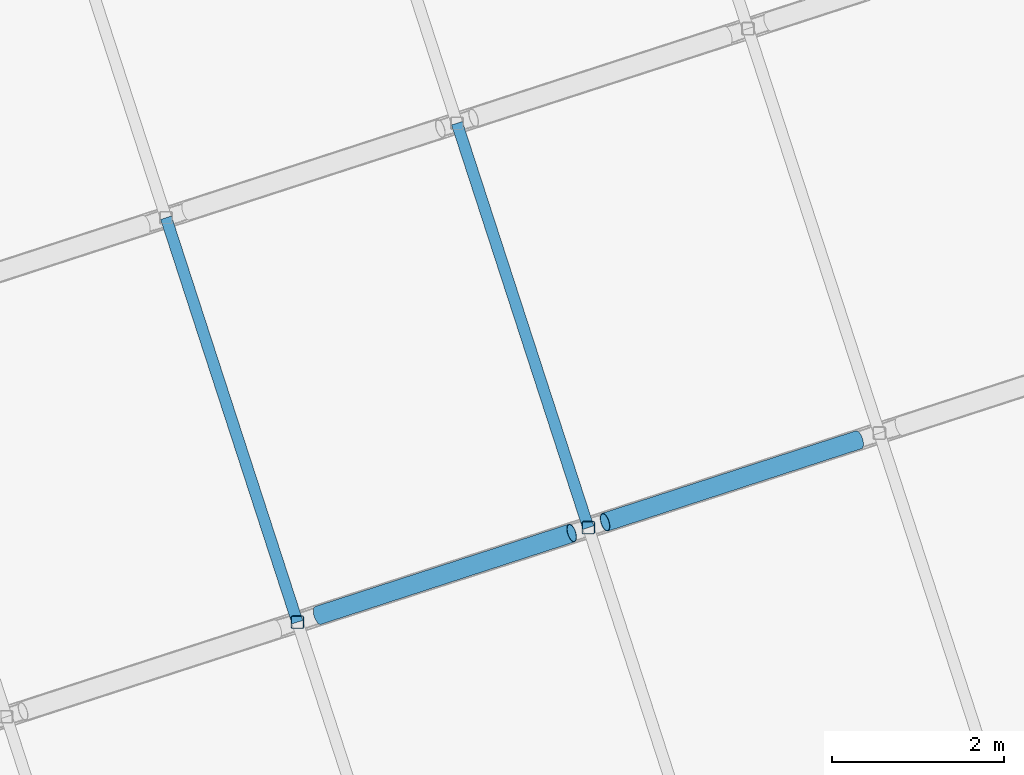
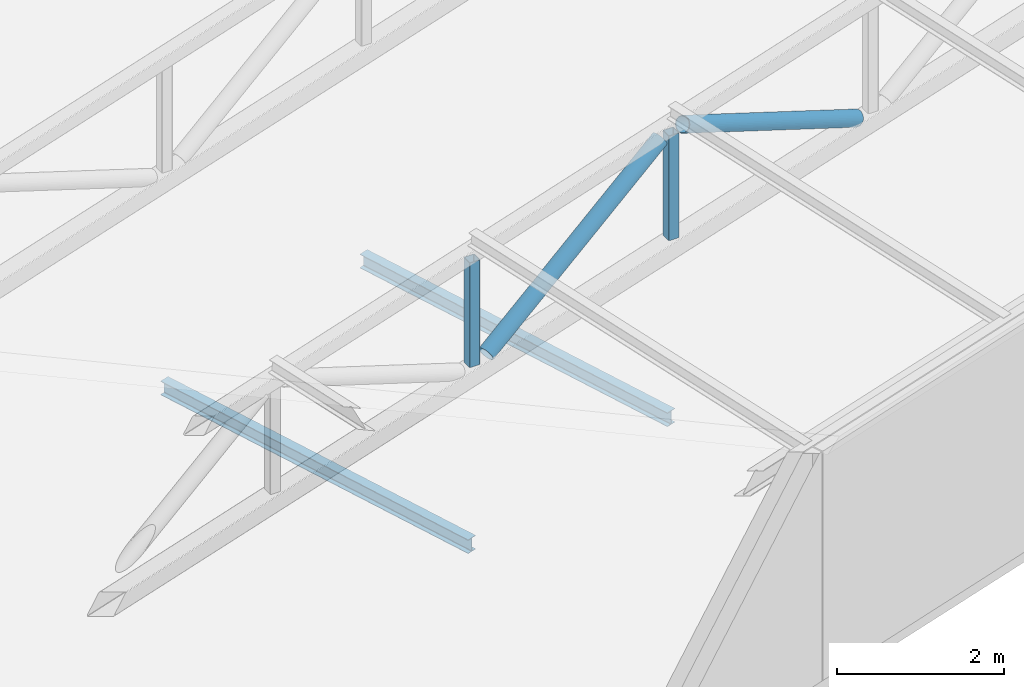
# One storey, part 7 of 49: 6 members.
"""IFC4 building model written with IfcOpenShell, lengths in metres."""

from ifc_helpers import new_model, si_unit, direction, frame, origin, origin_2d, place, context, subcontext, project, spatial, hollow_rectangle, hollow_circle, i_section, extrude, material, material_profile, profile_set, type_object, element, save


model = new_model("IFC4")

# Units and contexts
model_context = context("Model", 3, precision=1e-05, world=origin(), true_north=direction((0.0, 1.0)))
body_context = subcontext(model_context, "Body", "Model", "MODEL_VIEW")
ifc_project = project(units=[si_unit("LENGTHUNIT", "METRE"), si_unit("AREAUNIT", "SQUARE_METRE"), si_unit("VOLUMEUNIT", "CUBIC_METRE"), si_unit("PLANEANGLEUNIT", "RADIAN"), si_unit("MASSUNIT", "GRAM", prefix="KILO")], contexts=[model_context])

# Site, building, storey
site_placement = place(None, origin())
site = spatial("IfcSite", under=ifc_project, at=site_placement, CompositionType="ELEMENT")
building_placement = place(site_placement, origin())
building = spatial("IfcBuilding", under=site, at=building_placement, Name="Tuart Plaza Theatre", CompositionType="ELEMENT")
storey_placement = place(building_placement, frame((0.0, 0.0, 29.5)))
storey = spatial("IfcBuildingStorey", under=building, at=storey_placement, Name="L07", CompositionType="ELEMENT", Elevation=29.5)

# Members
ifc_material_1 = material(Name="Steel Grade C350L0", Category="steel")
ifc_material_profile_1 = material_profile(ifc_material_1, hollow_circle(Radius=0.109619140625, WallThickness=0.00830078125, at=origin_2d()), Name="219.1x8.2 CHS")
ifc_profile_set_1 = profile_set([ifc_material_profile_1], Name="Steel Grade C350L0")
member_type_1 = type_object("IfcMemberType", Name="MEMBER Brace 219.1x8.2 CHS", PredefinedType="BRACE", material=ifc_profile_set_1)
for number, where, z_axis, x_axis, name in (
    (1, (53.788330078125, 78.0869140625, 2.300048828125), (0.853572626097, 0.277345791654, 0.441013700273), (-0.30902025289, 0.951055457533, 0.0), "BR67"),
    (2, (57.126708984375, 79.171630859375, 3.824951171875), (0.853572626097, 0.277345791654, -0.441013700273), (-0.30902025289, 0.951055457533, 0.0), "BR68"),
):
    element("IfcMember", number, at=place(storey_placement, frame(where, z_axis=z_axis, x_axis=x_axis)), inside=storey, type_object=member_type_1, Name=name, PredefinedType="BRACE", context=body_context, shape_type="SweptSolid", body=[
        extrude(hollow_circle(Radius=0.109619140625, WallThickness=0.00830078125, at=origin_2d()), origin(), (0.0, 0.0, 1.0), 3.457763671875),
    ])
ifc_material_2 = material(Name="Steel Grade C350L0", Category="steel")
ifc_material_profile_2 = material_profile(ifc_material_2, hollow_rectangle(XDim=0.14990234375, YDim=0.14990234375, WallThickness=0.009033203125, InnerFilletRadius=0.009033203125, OuterFilletRadius=0.01806640625, at=origin_2d()), Name="150x150x9 SHS")
ifc_profile_set_2 = profile_set([ifc_material_profile_2], Name="Steel Grade C350L0")
member_type_2 = type_object("IfcMemberType", Name="MEMBER Post 150x150x9 SHS", PredefinedType="POST", material=ifc_profile_set_2)
for number, where, z_axis, x_axis, name in (
    (3, (53.54638671875, 78.00830078125, 2.300048828125), (0.0, 0.0, 1.0), (1.0, 0.0, 0.0), "PO76"),
    (4, (56.933349609375, 79.108642578125, 2.300048828125), (0.0, 0.0, 1.0), (1.0, 0.0, 0.0), "PO77"),
):
    element("IfcMember", number, at=place(storey_placement, frame(where, z_axis=z_axis, x_axis=x_axis)), inside=storey, type_object=member_type_2, Name=name, PredefinedType="POST", context=body_context, shape_type="SweptSolid", body=[
        extrude(hollow_rectangle(XDim=0.14990234375, YDim=0.14990234375, WallThickness=0.009033203125, InnerFilletRadius=0.009033203125, OuterFilletRadius=0.01806640625, at=origin_2d()), origin(), (0.0, 0.0, 1.0), 1.52490234375),
    ])
ifc_material_3 = material(Name="Steel Grade 300", Category="steel")
ifc_material_profile_3 = material_profile(ifc_material_3, i_section(OverallWidth=0.133056640625, OverallDepth=0.202880859375, WebThickness=0.005859375, FlangeThickness=0.0078125, FilletRadius=0.0087890625, at=origin_2d()), Name="200UB25.4")
ifc_profile_set_3 = profile_set([ifc_material_profile_3], Name="Steel Grade 300")
member_type_3 = type_object("IfcMemberType", Name="MEMBER Purlin 200UB25.4", PredefinedType="PURLIN", material=ifc_profile_set_3)
member_1_placement = place(storey_placement, frame((53.54638671875, 78.00830078125, -0.3515625), z_axis=(-0.308997967382, 0.951062698329, 0.0), x_axis=(-0.951062698329, -0.308997967382, 0.0)))
element("IfcMember", 5, at=member_1_placement, inside=storey, type_object=member_type_3, Name="PU60", PredefinedType="PURLIN", context=body_context, shape_type="SweptSolid", body=[
    extrude(i_section(OverallWidth=0.133056640625, OverallDepth=0.202880859375, WebThickness=0.005859375, FlangeThickness=0.0078125, FilletRadius=0.0087890625, at=origin_2d()), origin(), (0.0, 0.0, 1.0), 4.949951171875),
])
member_2_placement = place(storey_placement, frame((56.933349609375, 79.108642578125, -0.3515625), z_axis=(-0.309042578481, 0.951048203135, 0.0), x_axis=(-0.951048203135, -0.309042578481, 0.0)))
element("IfcMember", 6, at=member_2_placement, inside=storey, type_object=member_type_3, Name="PU64", PredefinedType="PURLIN", context=body_context, shape_type="SweptSolid", body=[
    extrude(i_section(OverallWidth=0.133056640625, OverallDepth=0.202880859375, WebThickness=0.005859375, FlangeThickness=0.0078125, FilletRadius=0.0087890625, at=origin_2d()), origin(), (0.0, 0.0, 1.0), 4.9501953125),
])

save(model, "model.ifc")
